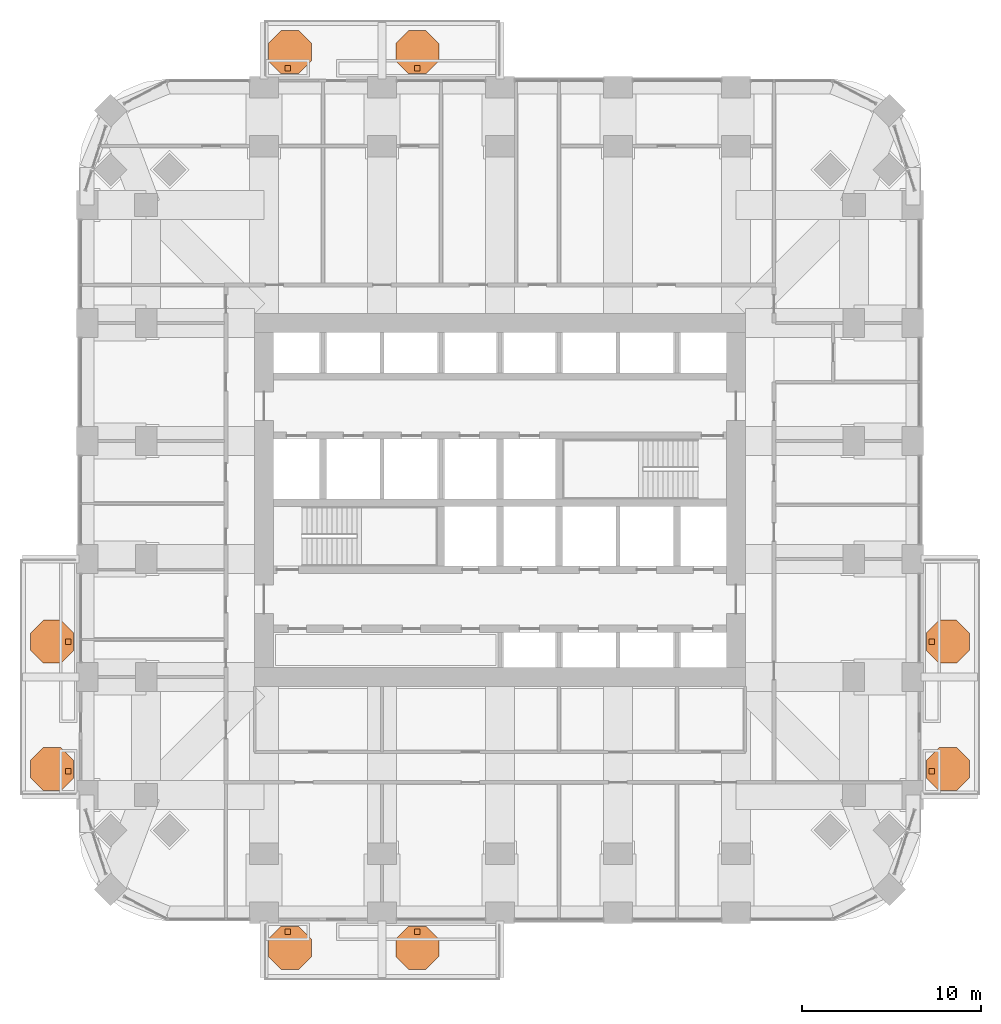
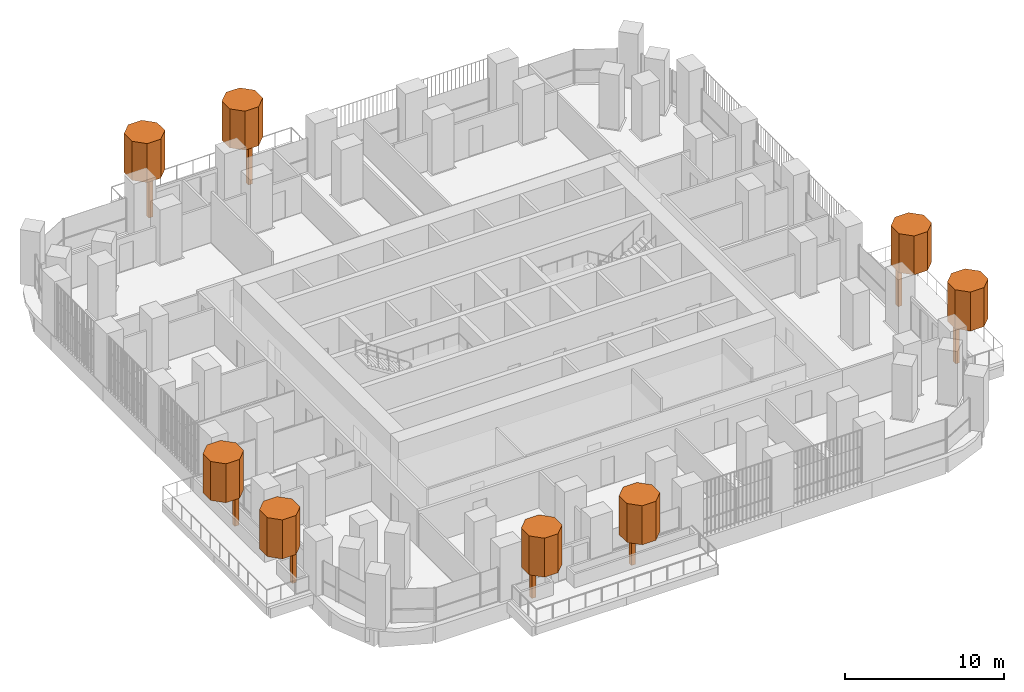
# One storey, part 21 of 21: 16 geographic elements.
"""IFC4 building model written with IfcOpenShell, lengths in metres."""

from ifc_helpers import new_model, si_unit, direction, frame, origin, origin_2d, place, context, subcontext, project, spatial, polyline, rectangle, outline, extrude, material, type_object, element, save


model = new_model("IFC4")

# Units and contexts
model_context = context("Model", 3, precision=1e-05, world=origin(), true_north=direction((0.0, 1.0)))
body_context = subcontext(model_context, "Body", "Model", "MODEL_VIEW")
ifc_project = project(units=[si_unit("LENGTHUNIT", "METRE"), si_unit("AREAUNIT", "SQUARE_METRE"), si_unit("VOLUMEUNIT", "CUBIC_METRE"), si_unit("PLANEANGLEUNIT", "RADIAN"), si_unit("MASSUNIT", "GRAM", prefix="KILO")], contexts=[model_context])

# Site, building, storey
site_placement = place(None, origin())
site = spatial("IfcSite", under=ifc_project, at=site_placement, CompositionType="ELEMENT")
building_placement = place(site_placement, origin())
building = spatial("IfcBuilding", under=site, at=building_placement, Name="Cobogo Forest Laboratory Tower", CompositionType="ELEMENT")
storey_placement = place(building_placement, frame((0.0, 0.0, 141.0)))
storey = spatial("IfcBuildingStorey", under=building, at=storey_placement, Name="L32", CompositionType="ELEMENT", Elevation=141.0)

# Geographic elements
ifc_material = material(Name="Planting", Category="plant")
geographic_element_type_1 = type_object("IfcGeographicElementType", Name="Tree trunk 300", PredefinedType="USERDEFINED", material=ifc_material)
for number, where, z_axis, x_axis, name in (
    (1, (14.52490234375, -1.050048828125, 0.0), (0.0, 0.0, 1.0), (1.0, 0.0, 0.0), "Tree trunk BAL-S1-PL1 L32"),
    (2, (21.77490234375, -1.050048828125, 0.0), (0.0, 0.0, 1.0), (1.0, 0.0, 0.0), "Tree trunk BAL-S1-PL2 L32"),
    (3, (50.550048828125, 7.925048828125, 0.0), (0.0, 0.0, 1.0), (1.0, 0.0, 0.0), "Tree trunk BAL-E1-PL1 L32"),
    (4, (50.550048828125, 15.175048828125, 0.0), (0.0, 0.0, 1.0), (1.0, 0.0, 0.0), "Tree trunk BAL-E1-PL2 L32"),
    (5, (14.52490234375, 47.25, 0.0), (0.0, 0.0, 1.0), (1.0, 0.0, 0.0), "Tree trunk BAL-N1-PL1 L32"),
    (6, (21.77490234375, 47.25, 0.0), (0.0, 0.0, 1.0), (1.0, 0.0, 0.0), "Tree trunk BAL-N1-PL2 L32"),
    (7, (2.25, 7.925048828125, 0.0), (0.0, 0.0, 1.0), (1.0, 0.0, 0.0), "Tree trunk BAL-W1-PL1 L32"),
    (8, (2.25, 15.175048828125, 0.0), (0.0, 0.0, 1.0), (1.0, 0.0, 0.0), "Tree trunk BAL-W1-PL2 L32"),
):
    element("IfcGeographicElement", number, at=place(storey_placement, frame(where, z_axis=z_axis, x_axis=x_axis)), inside=storey, type_object=geographic_element_type_1, Name=name, ObjectType="TREE TRUNK", PredefinedType="USERDEFINED", context=body_context, shape_type="SweptSolid", body=[
        extrude(rectangle(XDim=0.300048828125, YDim=0.300048828125, at=origin_2d()), origin(), (0.0, 0.0, 1.0), 2.89990234375),
    ])
geographic_element_type_2 = type_object("IfcGeographicElementType", Name="Tree, holm oak 5 m", PredefinedType="USERDEFINED", material=ifc_material)
geographic_element_1_placement = place(storey_placement, frame((0.0, 0.0, 2.89990234375)))
element("IfcGeographicElement", 9, at=geographic_element_1_placement, inside=storey, type_object=geographic_element_type_2, Name="Holm tree BAL-S1-PL1 L32", ObjectType="TREE", PredefinedType="USERDEFINED", context=body_context, shape_type="SweptSolid", body=[
    extrude(outline(polyline([(15.85009765625, -2.447021484375), (15.85009765625, -1.452880859375), (15.14697265625, -0.75), (14.15283203125, -0.75), (13.449951171875, -1.452880859375), (13.449951171875, -2.447021484375), (14.15283203125, -3.14990234375), (15.14697265625, -3.14990234375), (15.85009765625, -2.447021484375)])), origin(), (0.0, 0.0, 1.0), 3.0),
])
geographic_element_2_placement = place(storey_placement, frame((0.0, 0.0, 2.89990234375)))
element("IfcGeographicElement", 10, at=geographic_element_2_placement, inside=storey, type_object=geographic_element_type_2, Name="Holm tree BAL-S1-PL2 L32", ObjectType="TREE", PredefinedType="USERDEFINED", context=body_context, shape_type="SweptSolid", body=[
    extrude(outline(polyline([(22.97509765625, -2.447021484375), (22.97509765625, -1.452880859375), (22.27197265625, -0.75), (21.27783203125, -0.75), (20.574951171875, -1.452880859375), (20.574951171875, -2.447021484375), (21.27783203125, -3.14990234375), (22.27197265625, -3.14990234375), (22.97509765625, -2.447021484375)])), origin(), (0.0, 0.0, 1.0), 3.0),
])
geographic_element_3_placement = place(storey_placement, frame((0.0, 0.0, 2.89990234375)))
element("IfcGeographicElement", 11, at=geographic_element_3_placement, inside=storey, type_object=geographic_element_type_2, Name="Holm tree BAL-E1-PL1 L32", ObjectType="TREE", PredefinedType="USERDEFINED", context=body_context, shape_type="SweptSolid", body=[
    extrude(outline(polyline([(52.64990234375, 7.552978515625), (52.64990234375, 8.547119140625), (51.947021484375, 9.25), (50.952880859375, 9.25), (50.25, 8.547119140625), (50.25, 7.552978515625), (50.952880859375, 6.85009765625), (51.947021484375, 6.85009765625), (52.64990234375, 7.552978515625)])), origin(), (0.0, 0.0, 1.0), 3.0),
])
geographic_element_4_placement = place(storey_placement, frame((0.0, 0.0, 2.89990234375)))
element("IfcGeographicElement", 12, at=geographic_element_4_placement, inside=storey, type_object=geographic_element_type_2, Name="Holm tree BAL-E1-PL2 L32", ObjectType="TREE", PredefinedType="USERDEFINED", context=body_context, shape_type="SweptSolid", body=[
    extrude(outline(polyline([(52.64990234375, 14.677978515625), (52.64990234375, 15.672119140625), (51.947021484375, 16.375), (50.952880859375, 16.375), (50.25, 15.672119140625), (50.25, 14.677978515625), (50.952880859375, 13.97509765625), (51.947021484375, 13.97509765625), (52.64990234375, 14.677978515625)])), origin(), (0.0, 0.0, 1.0), 3.0),
])
geographic_element_5_placement = place(storey_placement, frame((0.0, 0.0, 2.89990234375)))
element("IfcGeographicElement", 13, at=geographic_element_5_placement, inside=storey, type_object=geographic_element_type_2, Name="Holm tree BAL-N1-PL1 L32", ObjectType="TREE", PredefinedType="USERDEFINED", context=body_context, shape_type="SweptSolid", body=[
    extrude(outline(polyline([(15.85009765625, 47.65283203125), (15.85009765625, 48.64697265625), (15.14697265625, 49.35009765625), (14.15283203125, 49.35009765625), (13.449951171875, 48.64697265625), (13.449951171875, 47.65283203125), (14.15283203125, 46.949951171875), (15.14697265625, 46.949951171875), (15.85009765625, 47.65283203125)])), origin(), (0.0, 0.0, 1.0), 3.0),
])
geographic_element_6_placement = place(storey_placement, frame((0.0, 0.0, 2.89990234375)))
element("IfcGeographicElement", 14, at=geographic_element_6_placement, inside=storey, type_object=geographic_element_type_2, Name="Holm tree BAL-N1-PL2 L32", ObjectType="TREE", PredefinedType="USERDEFINED", context=body_context, shape_type="SweptSolid", body=[
    extrude(outline(polyline([(22.97509765625, 47.65283203125), (22.97509765625, 48.64697265625), (22.27197265625, 49.35009765625), (21.27783203125, 49.35009765625), (20.574951171875, 48.64697265625), (20.574951171875, 47.65283203125), (21.27783203125, 46.949951171875), (22.27197265625, 46.949951171875), (22.97509765625, 47.65283203125)])), origin(), (0.0, 0.0, 1.0), 3.0),
])
geographic_element_7_placement = place(storey_placement, frame((0.0, 0.0, 2.89990234375)))
element("IfcGeographicElement", 15, at=geographic_element_7_placement, inside=storey, type_object=geographic_element_type_2, Name="Holm tree BAL-W1-PL1 L32", ObjectType="TREE", PredefinedType="USERDEFINED", context=body_context, shape_type="SweptSolid", body=[
    extrude(outline(polyline([(2.550048828125, 7.552978515625), (2.550048828125, 8.547119140625), (1.84716796875, 9.25), (0.85302734375, 9.25), (0.14990234375, 8.547119140625), (0.14990234375, 7.552978515625), (0.85302734375, 6.85009765625), (1.84716796875, 6.85009765625), (2.550048828125, 7.552978515625)])), origin(), (0.0, 0.0, 1.0), 3.0),
])
geographic_element_8_placement = place(storey_placement, frame((0.0, 0.0, 2.89990234375)))
element("IfcGeographicElement", 16, at=geographic_element_8_placement, inside=storey, type_object=geographic_element_type_2, Name="Holm tree BAL-W1-PL2 L32", ObjectType="TREE", PredefinedType="USERDEFINED", context=body_context, shape_type="SweptSolid", body=[
    extrude(outline(polyline([(2.550048828125, 14.677978515625), (2.550048828125, 15.672119140625), (1.84716796875, 16.375), (0.85302734375, 16.375), (0.14990234375, 15.672119140625), (0.14990234375, 14.677978515625), (0.85302734375, 13.97509765625), (1.84716796875, 13.97509765625), (2.550048828125, 14.677978515625)])), origin(), (0.0, 0.0, 1.0), 3.0),
])

save(model, "model.ifc")
